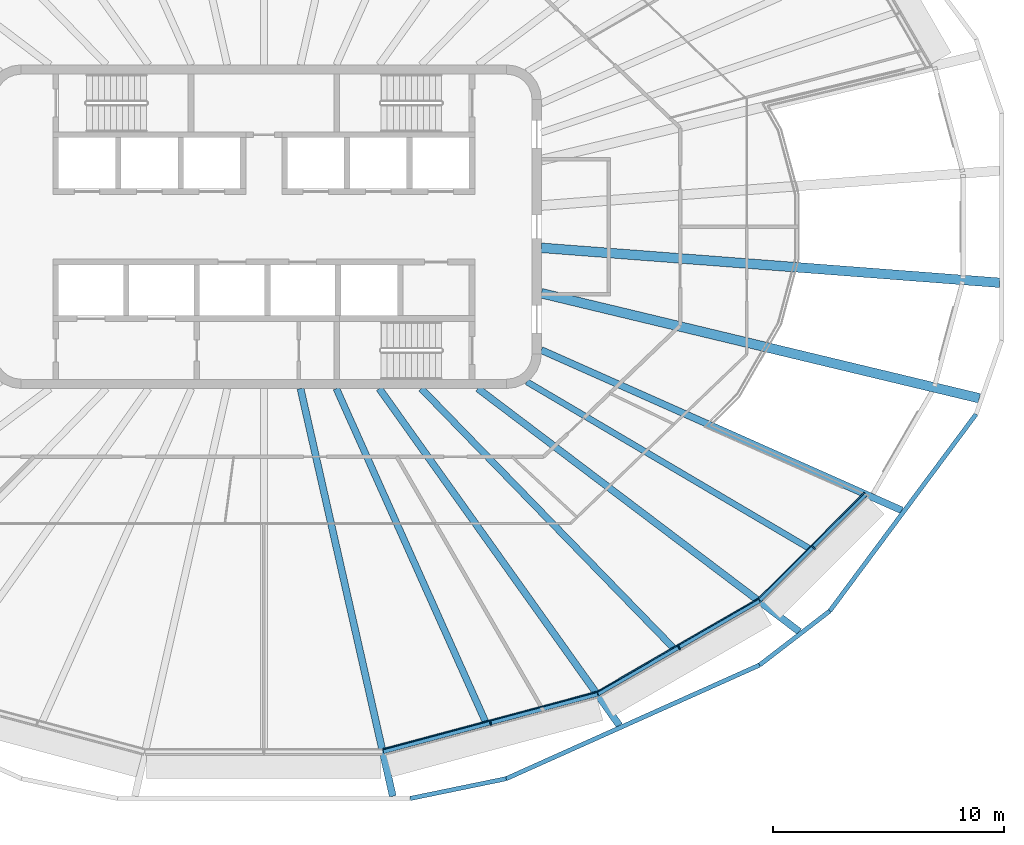
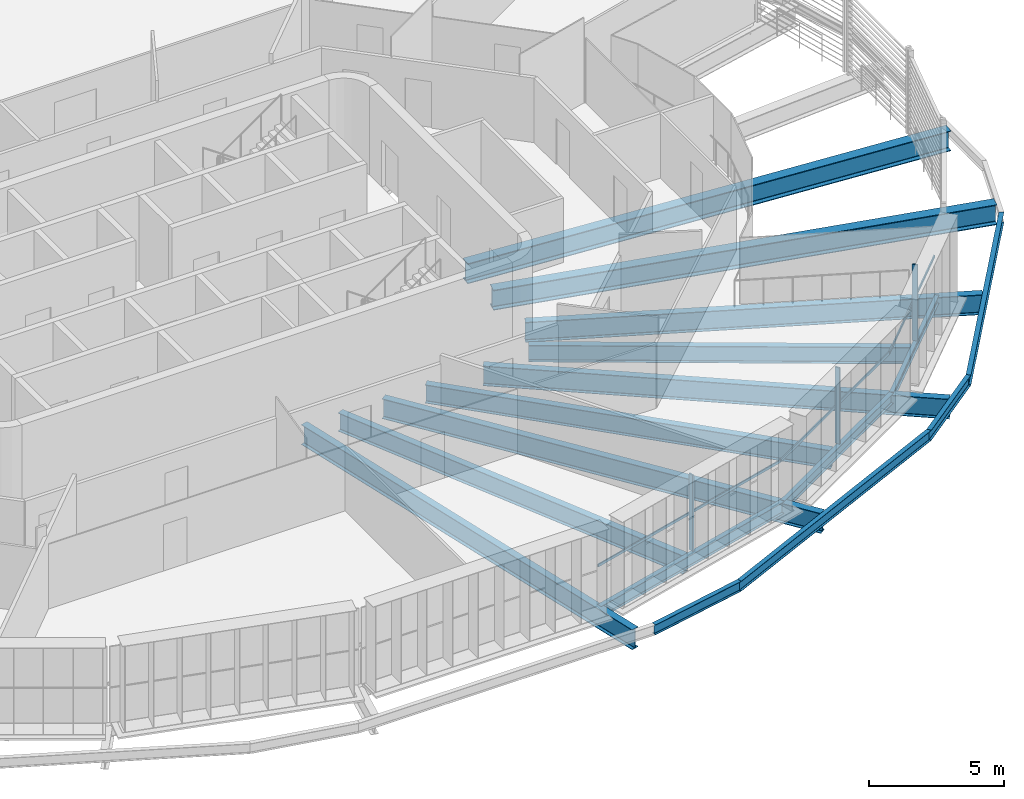
# One storey, part 4 of 21: 16 beams, 6 members, 3 elements without a shape of their own.
"""IFC4 building model written with IfcOpenShell, lengths in metres."""

from ifc_helpers import new_model, si_unit, direction, frame, origin, origin_2d, place, context, subcontext, project, spatial, rectangle, i_section, extrude, material, layer, layer_set, material_profile, profile_set, type_object, element, aggregate, save


model = new_model("IFC4")

# Units and contexts
model_context = context("Model", 3, precision=1e-05, world=origin(), true_north=direction((0.0, 1.0)))
body_context = subcontext(model_context, "Body", "Model", "MODEL_VIEW")
ifc_project = project(units=[si_unit("LENGTHUNIT", "METRE"), si_unit("AREAUNIT", "SQUARE_METRE"), si_unit("VOLUMEUNIT", "CUBIC_METRE"), si_unit("PLANEANGLEUNIT", "RADIAN"), si_unit("MASSUNIT", "GRAM", prefix="KILO")], contexts=[model_context])

# Site, building, storey
site_placement = place(None, origin())
site = spatial("IfcSite", under=ifc_project, at=site_placement, CompositionType="ELEMENT")
building_placement = place(site_placement, origin())
building = spatial("IfcBuilding", under=site, at=building_placement, Name="Sahrelin Media Tower", CompositionType="ELEMENT")
storey_placement = place(building_placement, frame((0.0, 0.0, 263.0)))
storey = spatial("IfcBuildingStorey", under=building, at=storey_placement, Name="L57", CompositionType="ELEMENT", Elevation=263.0)

# Beams
ifc_material_1 = material(Name="Steel S355", Category="steel")
ifc_material_profile_1 = material_profile(ifc_material_1, i_section(OverallWidth=0.17138671875, OverallDepth=0.35498046875, WebThickness=0.00732421875, FlangeThickness=0.011474609375, FilletRadius=0.01025390625, at=origin_2d()), Name="UB 356x171x51")
ifc_profile_set_1 = profile_set([ifc_material_profile_1], Name="Steel S355")
beam_type_1 = type_object("IfcBeamType", Name="Edge beam EB3", PredefinedType="BEAM", material=ifc_profile_set_1)
beam_1_placement = place(storey_placement, frame((26.047119140625, -11.559326171875, -0.327392578125), z_axis=(-0.707106781187, -0.707106781187, 0.0), x_axis=(0.707106781187, -0.707106781187, 0.0)))
element("IfcBeam", 1, at=beam_1_placement, inside=storey, type_object=beam_type_1, Name="Edge beam L57-01", PredefinedType="BEAM", context=body_context, shape_type="SweptSolid", body=[
    extrude(i_section(OverallWidth=0.17138671875, OverallDepth=0.35498046875, WebThickness=0.00732421875, FlangeThickness=0.011474609375, FilletRadius=0.01025390625, at=origin_2d()), origin(), (0.0, 0.0, 1.0), 6.49853515625),
])
ifc_material_profile_2 = material_profile(ifc_material_1, i_section(OverallWidth=0.1904296875, OverallDepth=0.45703125, WebThickness=0.009033203125, FlangeThickness=0.014404296875, FilletRadius=0.01025390625, at=origin_2d()), Name="UB 457x191x74")
ifc_profile_set_2 = profile_set([ifc_material_profile_2], Name="Steel S355")
beam_type_2 = type_object("IfcBeamType", Name="Edge beam EB5", PredefinedType="BEAM", material=ifc_profile_set_2)
beam_2_placement = place(storey_placement, frame((21.428955078125, -16.172119140625, -0.37841796875), z_axis=(-0.866021478471, -0.500006798781, 0.0), x_axis=(0.500006798781, -0.866021478471, 0.0)))
element("IfcBeam", 2, at=beam_2_placement, inside=storey, type_object=beam_type_2, Name="Edge beam L57-02", PredefinedType="BEAM", context=body_context, shape_type="SweptSolid", body=[
    extrude(i_section(OverallWidth=0.1904296875, OverallDepth=0.45703125, WebThickness=0.009033203125, FlangeThickness=0.014404296875, FilletRadius=0.01025390625, at=origin_2d()), origin(), (0.0, 0.0, 1.0), 8.0517578125),
])
ifc_material_profile_3 = material_profile(ifc_material_1, i_section(OverallWidth=0.208740234375, OverallDepth=0.5283203125, WebThickness=0.009521484375, FlangeThickness=0.01318359375, FilletRadius=0.0126953125, at=origin_2d()), Name="UB 533x210x82")
ifc_profile_set_3 = profile_set([ifc_material_profile_3], Name="Steel S355")
beam_type_3 = type_object("IfcBeamType", Name="Edge beam EB6", PredefinedType="BEAM", material=ifc_profile_set_3)
beam_3_placement = place(storey_placement, frame((14.429443359375, -20.208984375, -0.4140625), z_axis=(-0.965930101275, -0.258803090112, 0.0), x_axis=(0.258803090112, -0.965930101275, 0.0)))
element("IfcBeam", 3, at=beam_3_placement, inside=storey, type_object=beam_type_3, Name="Edge beam L57-03", PredefinedType="BEAM", context=body_context, shape_type="SweptSolid", body=[
    extrude(i_section(OverallWidth=0.208740234375, OverallDepth=0.5283203125, WebThickness=0.009521484375, FlangeThickness=0.01318359375, FilletRadius=0.0126953125, at=origin_2d()), origin(), (0.0, 0.0, 1.0), 9.592041015625),
])

# Curtain wall, member
ifc_material_2 = material(Name="Champagne anodised aluminium 6063-T6", Category="aluminium")
ifc_layer = layer(ifc_material_2, 0.14990234375)
ifc_layer_set = layer_set([ifc_layer], Name="Tower ribbon curtain wall")
curtain_wall_type = type_object("IfcCurtainWallType", Name="Tower ribbon curtain wall", PredefinedType="NOTDEFINED", material=ifc_layer_set)
curtain_wall_1_placement = place(storey_placement, frame((9.835693359375, -21.59521484375, 0.0), z_axis=(0.0, 0.0, 1.0), x_axis=(1.0, 0.0, 0.0)))
curtain_wall_1 = element("IfcCurtainWall", 4, at=curtain_wall_1_placement, inside=storey, type_object=curtain_wall_type, Name="L57:CW:L57-19", PredefinedType="NOTDEFINED")
ifc_material_profile_4 = material_profile(ifc_material_2, rectangle(XDim=0.06005859375, YDim=0.199951171875, at=origin_2d()), Name="Mullion 60x200")
ifc_profile_set_4 = profile_set([ifc_material_profile_4], Name="Champagne anodised aluminium 6063-T6")
member_type_1 = type_object("IfcMemberType", Name="Mullion 60x200 CW1C", PredefinedType="MULLION", material=ifc_profile_set_4)
member_1_placement = place(storey_placement, frame((9.8046875, -21.479248046875, 0.0), z_axis=(0.0, 0.0, 1.0), x_axis=(0.965925374563, 0.258820730961, 0.0)))
member_1 = element("IfcMember", 5, at=member_1_placement, type_object=member_type_1, Name="L57:CWM:L57-19", PredefinedType="MULLION", context=body_context, shape_type="SweptSolid", body=[
    extrude(rectangle(XDim=0.06005859375, YDim=0.199951171875, at=origin_2d()), origin(), (0.0, 0.0, 1.0), 3.448486328125),
])

curtain_wall_2_placement = place(storey_placement, frame((18.017578125, -18.31494140625, 0.0), z_axis=(0.0, 0.0, 1.0), x_axis=(1.0, 0.0, 0.0)))
curtain_wall_2 = element("IfcCurtainWall", 6, at=curtain_wall_2_placement, inside=storey, type_object=curtain_wall_type, Name="L57:CW:L57-20", PredefinedType="NOTDEFINED")
member_2_placement = place(storey_placement, frame((17.95751953125, -18.2109375, 0.0), z_axis=(0.0, 0.0, 1.0), x_axis=(0.866028894422, 0.49999395399, 0.0)))
member_2 = element("IfcMember", 7, at=member_2_placement, type_object=member_type_1, Name="L57:CWM:L57-20", PredefinedType="MULLION", context=body_context, shape_type="SweptSolid", body=[
    extrude(rectangle(XDim=0.06005859375, YDim=0.199951171875, at=origin_2d()), origin(), (0.0, 0.0, 1.0), 3.448486328125),
])

curtain_wall_3_placement = place(storey_placement, frame((23.855712890625, -13.963134765625, 0.0), z_axis=(0.0, 0.0, 1.0), x_axis=(1.0, 0.0, 0.0)))
curtain_wall_3 = element("IfcCurtainWall", 8, at=curtain_wall_3_placement, inside=storey, type_object=curtain_wall_type, Name="L57:CW:L57-21", PredefinedType="NOTDEFINED")
member_3_placement = place(storey_placement, frame((23.770751953125, -13.878173828125, 0.0), z_axis=(0.0, 0.0, 1.0), x_axis=(0.707106781187, 0.707106781187, 0.0)))
member_3 = element("IfcMember", 9, at=member_3_placement, type_object=member_type_1, Name="L57:CWM:L57-21", PredefinedType="MULLION", context=body_context, shape_type="SweptSolid", body=[
    extrude(rectangle(XDim=0.06005859375, YDim=0.199951171875, at=origin_2d()), origin(), (0.0, 0.0, 1.0), 3.448486328125),
])

# Beams
ifc_material_profile_5 = material_profile(ifc_material_1, i_section(OverallWidth=0.30322265625, OverallDepth=0.903076171875, WebThickness=0.01513671875, FlangeThickness=0.020263671875, FilletRadius=0.01904296875, at=origin_2d()), Name="UB 914x305x201")
ifc_profile_set_5 = profile_set([ifc_material_profile_5], Name="Steel S355")
beam_type_4 = type_object("IfcBeamType", Name="Radial primary beam PB11", PredefinedType="BEAM", material=ifc_profile_set_5)
beam_4_placement = place(storey_placement, frame((1.584228515625, -7.0, -0.6015625), z_axis=(0.220721688856, -0.975336832109, 0.0), x_axis=(0.975336832109, 0.220721688856, 0.0)))
element("IfcBeam", 10, at=beam_4_placement, inside=storey, type_object=beam_type_4, Name="Radial beam L57-19", PredefinedType="BEAM", context=body_context, shape_type="SweptSolid", body=[
    extrude(i_section(OverallWidth=0.30322265625, OverallDepth=0.903076171875, WebThickness=0.01513671875, FlangeThickness=0.020263671875, FilletRadius=0.01904296875, at=origin_2d()), origin(), (0.0, 0.0, 1.0), 18.08154296875),
])
beam_5_placement = place(storey_placement, frame((4.989501953125, -7.0, -0.6015625), z_axis=(0.580417178592, -0.814319285536, 0.0), x_axis=(0.814319285536, 0.580417178592, 0.0)))
element("IfcBeam", 11, at=beam_5_placement, inside=storey, type_object=beam_type_4, Name="Radial beam L57-20", PredefinedType="BEAM", context=body_context, shape_type="SweptSolid", body=[
    extrude(i_section(OverallWidth=0.30322265625, OverallDepth=0.903076171875, WebThickness=0.01513671875, FlangeThickness=0.020263671875, FilletRadius=0.01904296875, at=origin_2d()), origin(), (0.0, 0.0, 1.0), 17.896484375),
])
beam_6_placement = place(storey_placement, frame((9.256103515625, -7.0, -0.6015625), z_axis=(0.797600330432, -0.603186300321, 0.0), x_axis=(0.603186300321, 0.797600330432, 0.0)))
element("IfcBeam", 12, at=beam_6_placement, inside=storey, type_object=beam_type_4, Name="Radial beam L57-21", PredefinedType="BEAM", context=body_context, shape_type="SweptSolid", body=[
    extrude(i_section(OverallWidth=0.30322265625, OverallDepth=0.903076171875, WebThickness=0.01513671875, FlangeThickness=0.020263671875, FilletRadius=0.01904296875, at=origin_2d()), origin(), (0.0, 0.0, 1.0), 17.431396484375),
])
beam_7_placement = place(storey_placement, frame((12.0, -5.33642578125, -0.6015625), z_axis=(0.913726569334, -0.406329615575, 0.0), x_axis=(0.406329615575, 0.913726569334, 0.0)))
element("IfcBeam", 13, at=beam_7_placement, inside=storey, type_object=beam_type_4, Name="Radial beam L57-22", PredefinedType="BEAM", context=body_context, shape_type="SweptSolid", body=[
    extrude(i_section(OverallWidth=0.30322265625, OverallDepth=0.903076171875, WebThickness=0.01513671875, FlangeThickness=0.020263671875, FilletRadius=0.01904296875, at=origin_2d()), origin(), (0.0, 0.0, 1.0), 17.06396484375),
])
ifc_material_profile_6 = material_profile(ifc_material_1, i_section(OverallWidth=0.41845703125, OverallDepth=0.911865234375, WebThickness=0.019287109375, FlangeThickness=0.031982421875, FilletRadius=0.024169921875, at=origin_2d()), Name="UB 914x419x343")
ifc_profile_set_6 = profile_set([ifc_material_profile_6], Name="Steel S355")
beam_type_5 = type_object("IfcBeamType", Name="Radial primary beam PB12", PredefinedType="BEAM", material=ifc_profile_set_6)
beam_8_placement = place(storey_placement, frame((12.0, -2.878173828125, -0.60595703125), z_axis=(0.972419716898, -0.233237848962, 0.0), x_axis=(0.233237848962, 0.972419716898, 0.0)))
element("IfcBeam", 14, at=beam_8_placement, inside=storey, type_object=beam_type_5, Name="Radial beam L57-23", PredefinedType="BEAM", context=body_context, shape_type="SweptSolid", body=[
    extrude(i_section(OverallWidth=0.41845703125, OverallDepth=0.911865234375, WebThickness=0.019287109375, FlangeThickness=0.031982421875, FilletRadius=0.024169921875, at=origin_2d()), origin(), (0.0, 0.0, 1.0), 19.47900390625),
])
beam_9_placement = place(storey_placement, frame((12.0, -0.914306640625, -0.60595703125), z_axis=(0.997108566156, -0.075990178964, 0.0), x_axis=(0.075990178964, 0.997108566156, 0.0)))
element("IfcBeam", 15, at=beam_9_placement, inside=storey, type_object=beam_type_5, Name="Radial beam L57-24", PredefinedType="BEAM", context=body_context, shape_type="SweptSolid", body=[
    extrude(i_section(OverallWidth=0.41845703125, OverallDepth=0.911865234375, WebThickness=0.019287109375, FlangeThickness=0.031982421875, FilletRadius=0.024169921875, at=origin_2d()), origin(), (0.0, 0.0, 1.0), 19.87744140625),
])
ifc_material_profile_7 = material_profile(ifc_material_1, i_section(OverallWidth=0.291748046875, OverallDepth=0.8349609375, WebThickness=0.013916015625, FlangeThickness=0.018798828125, FilletRadius=0.017822265625, at=origin_2d()), Name="UB 838x292x176")
ifc_profile_set_7 = profile_set([ifc_material_profile_7], Name="Steel S355")
beam_type_6 = type_object("IfcBeamType", Name="Radial secondary beam SB10", PredefinedType="BEAM", material=ifc_profile_set_7)
beam_10_placement = place(storey_placement, frame((3.133544921875, -7.0, -0.5673828125), z_axis=(0.408590666076, -0.912717737088, 0.0), x_axis=(0.912717737088, 0.408590666076, 0.0)))
element("IfcBeam", 16, at=beam_10_placement, inside=storey, type_object=beam_type_6, Name="Secondary beam L57-18", PredefinedType="BEAM", context=body_context, shape_type="SweptSolid", body=[
    extrude(i_section(OverallWidth=0.291748046875, OverallDepth=0.8349609375, WebThickness=0.013916015625, FlangeThickness=0.018798828125, FilletRadius=0.017822265625, at=origin_2d()), origin(), (0.0, 0.0, 1.0), 15.777587890625),
])
beam_11_placement = place(storey_placement, frame((6.804931640625, -7.0, -0.5673828125), z_axis=(0.697052085018, -0.717020495364, 0.0), x_axis=(0.717020495364, 0.697052085018, 0.0)))
element("IfcBeam", 17, at=beam_11_placement, inside=storey, type_object=beam_type_6, Name="Secondary beam L57-19", PredefinedType="BEAM", context=body_context, shape_type="SweptSolid", body=[
    extrude(i_section(OverallWidth=0.291748046875, OverallDepth=0.8349609375, WebThickness=0.013916015625, FlangeThickness=0.018798828125, FilletRadius=0.017822265625, at=origin_2d()), origin(), (0.0, 0.0, 1.0), 15.637451171875),
])
ifc_material_profile_8 = material_profile(ifc_material_1, i_section(OverallWidth=0.26513671875, OverallDepth=0.75390625, WebThickness=0.0126953125, FlangeThickness=0.017578125, FilletRadius=0.0166015625, at=origin_2d()), Name="UB 762x267x147")
ifc_profile_set_8 = profile_set([ifc_material_profile_8], Name="Steel S355")
beam_type_7 = type_object("IfcBeamType", Name="Radial secondary beam SB9", PredefinedType="BEAM", material=ifc_profile_set_8)
beam_12_placement = place(storey_placement, frame((11.369873046875, -6.70703125, -0.527099609375), z_axis=(0.861299412095, -0.508097749183, 0.0), x_axis=(0.508097749183, 0.861299412095, 0.0)))
element("IfcBeam", 18, at=beam_12_placement, inside=storey, type_object=beam_type_7, Name="Secondary beam L57-20", PredefinedType="BEAM", context=body_context, shape_type="SweptSolid", body=[
    extrude(i_section(OverallWidth=0.26513671875, OverallDepth=0.75390625, WebThickness=0.0126953125, FlangeThickness=0.017578125, FilletRadius=0.0166015625, at=origin_2d()), origin(), (0.0, 0.0, 1.0), 14.1728515625),
])
ifc_material_profile_9 = material_profile(ifc_material_1, i_section(OverallWidth=0.1904296875, OverallDepth=0.45703125, WebThickness=0.009033203125, FlangeThickness=0.014404296875, FilletRadius=0.01025390625, at=origin_2d()), Name="UB 457x191x74")
ifc_profile_set_9 = profile_set([ifc_material_profile_9], Name="Steel S355")
beam_type_8 = type_object("IfcBeamType", Name="Tie chord TC5", PredefinedType="BEAM", material=ifc_profile_set_9)
beam_13_placement = place(storey_placement, frame((6.32666015625, -24.730712890625, -0.37841796875), z_axis=(0.979393768134, 0.201960013221, 0.0), x_axis=(-0.201960013221, 0.979393768134, 0.0)))
element("IfcBeam", 19, at=beam_13_placement, inside=storey, type_object=beam_type_8, Name="Tie chord L57-19", PredefinedType="BEAM", context=body_context, shape_type="SweptSolid", body=[
    extrude(i_section(OverallWidth=0.1904296875, OverallDepth=0.45703125, WebThickness=0.009033203125, FlangeThickness=0.014404296875, FilletRadius=0.01025390625, at=origin_2d()), origin(), (0.0, 0.0, 1.0), 4.239501953125),
])
beam_14_placement = place(storey_placement, frame((10.478759765625, -23.87451171875, -0.37841796875), z_axis=(0.912451749882, 0.409184315605, 0.0), x_axis=(-0.409184315605, 0.912451749882, 0.0)))
element("IfcBeam", 20, at=beam_14_placement, inside=storey, type_object=beam_type_8, Name="Tie chord L57-20", PredefinedType="BEAM", context=body_context, shape_type="SweptSolid", body=[
    extrude(i_section(OverallWidth=0.1904296875, OverallDepth=0.45703125, WebThickness=0.009033203125, FlangeThickness=0.014404296875, FilletRadius=0.01025390625, at=origin_2d()), origin(), (0.0, 0.0, 1.0), 12.009521484375),
])
beam_15_placement = place(storey_placement, frame((21.436767578125, -18.96044921875, -0.37841796875), z_axis=(0.792467790833, 0.6099137648, 0.0), x_axis=(-0.6099137648, 0.792467790833, 0.0)))
element("IfcBeam", 21, at=beam_15_placement, inside=storey, type_object=beam_type_8, Name="Tie chord L57-21", PredefinedType="BEAM", context=body_context, shape_type="SweptSolid", body=[
    extrude(i_section(OverallWidth=0.1904296875, OverallDepth=0.45703125, WebThickness=0.009033203125, FlangeThickness=0.014404296875, FilletRadius=0.01025390625, at=origin_2d()), origin(), (0.0, 0.0, 1.0), 3.83544921875),
])
beam_16_placement = place(storey_placement, frame((24.476318359375, -16.62109375, -0.37841796875), z_axis=(0.596554130506, 0.802572843657, 0.0), x_axis=(-0.802572843657, 0.596554130506, 0.0)))
element("IfcBeam", 22, at=beam_16_placement, inside=storey, type_object=beam_type_8, Name="Tie chord L57-22", PredefinedType="BEAM", context=body_context, shape_type="SweptSolid", body=[
    extrude(i_section(OverallWidth=0.1904296875, OverallDepth=0.45703125, WebThickness=0.009033203125, FlangeThickness=0.014404296875, FilletRadius=0.01025390625, at=origin_2d()), origin(), (0.0, 0.0, 1.0), 10.60498046875),
])

# Member
ifc_material_profile_10 = material_profile(ifc_material_2, rectangle(XDim=0.050048828125, YDim=0.1201171875, at=origin_2d()), Name="Transom 50x120")
ifc_profile_set_10 = profile_set([ifc_material_profile_10], Name="Champagne anodised aluminium 6063-T6")
member_type_2 = type_object("IfcMemberType", Name="Transom 50x120 CW1C", PredefinedType="USERDEFINED", material=ifc_profile_set_10)
member_4_placement = place(storey_placement, frame((5.155029296875, -22.595703125, 1.60009765625), z_axis=(0.965926963965, 0.258814799201, 0.0), x_axis=(-0.258814799201, 0.965926963965, 0.0)))
member_4 = element("IfcMember", 23, at=member_4_placement, type_object=member_type_2, Name="L57:CWT:L57-19", ObjectType="TRANSOM", PredefinedType="USERDEFINED", context=body_context, shape_type="SweptSolid", body=[
    extrude(rectangle(XDim=0.050048828125, YDim=0.1201171875, at=origin_2d()), origin(), (0.0, 0.0, 1.0), 9.560302734375),
])

aggregate(curtain_wall_1, [member_1, member_4])

member_5_placement = place(storey_placement, frame((14.422119140625, -20.10791015625, 1.60009765625), z_axis=(0.866020331166, 0.500008785931, 0.0), x_axis=(-0.500008785931, 0.866020331166, 0.0)))
member_5 = element("IfcMember", 24, at=member_5_placement, type_object=member_type_2, Name="L57:CWT:L57-20", ObjectType="TRANSOM", PredefinedType="USERDEFINED", context=body_context, shape_type="SweptSolid", body=[
    extrude(rectangle(XDim=0.050048828125, YDim=0.1201171875, at=origin_2d()), origin(), (0.0, 0.0, 1.0), 8.020263671875),
])

aggregate(curtain_wall_2, [member_2, member_5])

member_6_placement = place(storey_placement, frame((21.395751953125, -16.076416015625, 1.60009765625), z_axis=(0.707106781187, 0.707106781187, 0.0), x_axis=(-0.707106781187, 0.707106781187, 0.0)))
member_6 = element("IfcMember", 25, at=member_6_placement, type_object=member_type_2, Name="L57:CWT:L57-21", ObjectType="TRANSOM", PredefinedType="USERDEFINED", context=body_context, shape_type="SweptSolid", body=[
    extrude(rectangle(XDim=0.050048828125, YDim=0.1201171875, at=origin_2d()), origin(), (0.0, 0.0, 1.0), 6.46728515625),
])

aggregate(curtain_wall_3, [member_3, member_6])

save(model, "model.ifc")
